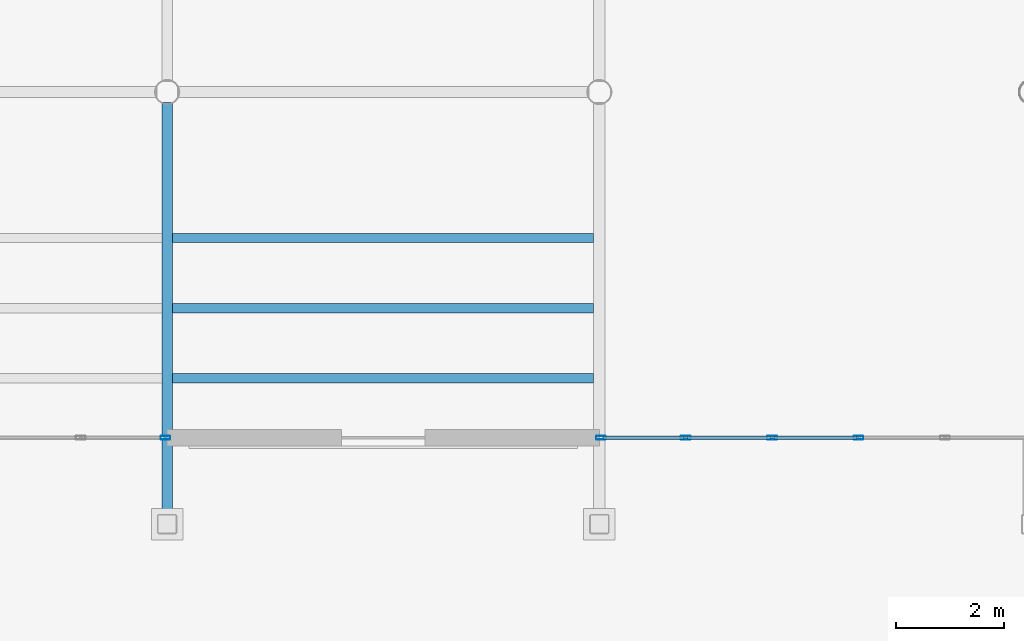
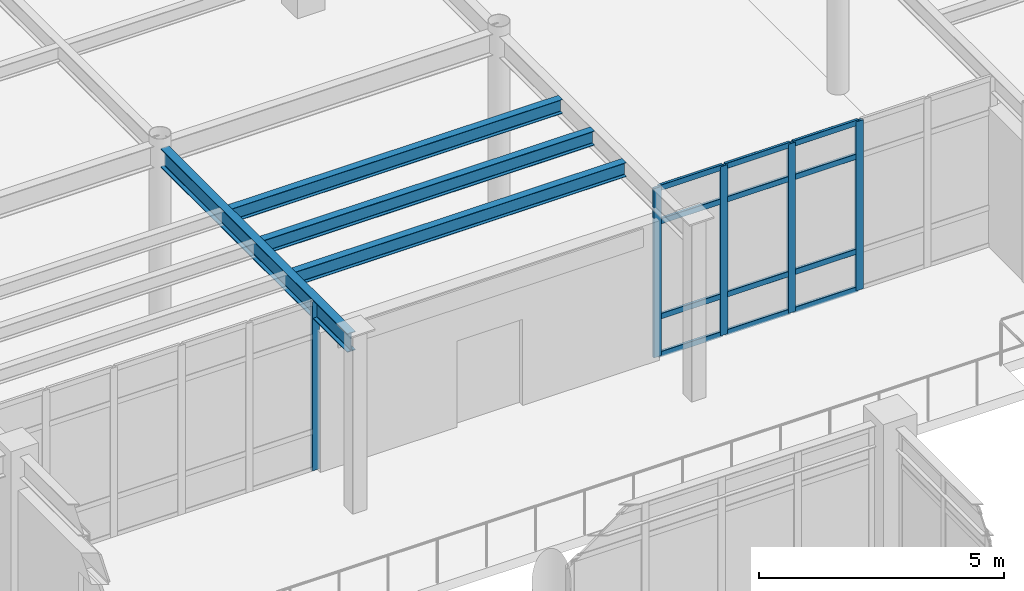
# One storey, part 55 of 111: 17 members, 4 beams, 2 elements without a shape of their own.
"""IFC4 building model written with IfcOpenShell, lengths in metres."""

from ifc_helpers import new_model, si_unit, direction, frame, origin, origin_2d, place, context, subcontext, project, spatial, hollow_rectangle, i_section, extrude, material, material_profile, profile_set, type_object, element, aggregate, save


model = new_model("IFC4")

# Units and contexts
model_context = context("Model", 3, precision=1e-05, world=origin(), true_north=direction((0.0, 1.0)))
body_context = subcontext(model_context, "Body", "Model", "MODEL_VIEW")
ifc_project = project(units=[si_unit("LENGTHUNIT", "METRE"), si_unit("AREAUNIT", "SQUARE_METRE"), si_unit("VOLUMEUNIT", "CUBIC_METRE"), si_unit("PLANEANGLEUNIT", "RADIAN"), si_unit("MASSUNIT", "GRAM", prefix="KILO")], contexts=[model_context])

# Site, building, storey
site_placement = place(None, origin())
site = spatial("IfcSite", under=ifc_project, at=site_placement, CompositionType="ELEMENT")
building_placement = place(site_placement, origin())
building = spatial("IfcBuilding", under=site, at=building_placement, Name="Solmirada Galleria", CompositionType="ELEMENT")
storey_placement = place(building_placement, frame((0.0, 0.0, 10.39990234375)))
storey = spatial("IfcBuildingStorey", under=building, at=storey_placement, Name="L02", CompositionType="ELEMENT", Elevation=10.39990234375)

# Beams
ifc_material_1 = material(Name="Steel S355 / ASTM A992 Grade 50", Category="steel")
ifc_material_profile_1 = material_profile(ifc_material_1, i_section(OverallWidth=0.194091796875, OverallDepth=0.468994140625, WebThickness=0.0126953125, FlangeThickness=0.0205078125, FilletRadius=0.013916015625, at=origin_2d()), Name="W18X71")
ifc_profile_set_1 = profile_set([ifc_material_profile_1], Name="Steel S355 / ASTM A992 Grade 50")
beam_type_1 = type_object("IfcBeamType", Name="BM-GIRD-W18B", PredefinedType="BEAM", material=ifc_profile_set_1)
beam_1_placement = place(storey_placement, frame((104.0, 80.177978515625, 4.025634765625), z_axis=(0.0, 1.0, 0.0), x_axis=(-1.0, 0.0, 0.0)))
element("IfcBeam", 1, at=beam_1_placement, inside=storey, type_object=beam_type_1, Name="Primary girder L03 Y(104, 80..88)", PredefinedType="BEAM", context=body_context, shape_type="SweptSolid", body=[
    extrude(i_section(OverallWidth=0.194091796875, OverallDepth=0.468994140625, WebThickness=0.0126953125, FlangeThickness=0.0205078125, FilletRadius=0.013916015625, at=origin_2d()), origin(), (0.0, 0.0, 1.0), 7.630126953125),
])
ifc_material_profile_2 = material_profile(ifc_material_1, i_section(OverallWidth=0.172119140625, OverallDepth=0.35791015625, WebThickness=0.0078125, FlangeThickness=0.01318359375, FilletRadius=0.011962890625, at=origin_2d()), Name="W14X38")
ifc_profile_set_2 = profile_set([ifc_material_profile_2], Name="Steel S355 / ASTM A992 Grade 50")
beam_type_2 = type_object("IfcBeamType", Name="BM-JST-W14A", PredefinedType="JOIST", material=ifc_profile_set_2)
beam_2_placement = place(storey_placement, frame((104.096923828125, 84.0, 4.0810546875), z_axis=(1.0, 0.0, 0.0), x_axis=(0.0, 1.0, 0.0)))
element("IfcBeam", 2, at=beam_2_placement, inside=storey, type_object=beam_type_2, Name="Composite floor joist L03 (104..112, 84.0)", PredefinedType="JOIST", context=body_context, shape_type="SweptSolid", body=[
    extrude(i_section(OverallWidth=0.172119140625, OverallDepth=0.35791015625, WebThickness=0.0078125, FlangeThickness=0.01318359375, FilletRadius=0.011962890625, at=origin_2d()), origin(), (0.0, 0.0, 1.0), 7.798095703125),
])
ifc_material_profile_3 = material_profile(ifc_material_1, i_section(OverallWidth=0.1708984375, OverallDepth=0.35205078125, WebThickness=0.0068359375, FlangeThickness=0.009765625, FilletRadius=0.010986328125, at=origin_2d()), Name="W14X30")
ifc_profile_set_3 = profile_set([ifc_material_profile_3], Name="Steel S355 / ASTM A992 Grade 50")
beam_type_3 = type_object("IfcBeamType", Name="BM-JST-W14B", PredefinedType="JOIST", material=ifc_profile_set_3)
for number, where, z_axis, x_axis, name in (
    (3, (104.096923828125, 82.699951171875, 4.083984375), (1.0, 0.0, 0.0), (0.0, 1.0, 0.0), "Terrace deck joist L03-TERR-NE X=104..112 (1)"),
    (4, (104.096923828125, 85.300048828125, 4.083984375), (1.0, 0.0, 0.0), (0.0, 1.0, 0.0), "Terrace deck joist L03-TERR-NE X=104..112 (2)"),
):
    element("IfcBeam", number, at=place(storey_placement, frame(where, z_axis=z_axis, x_axis=x_axis)), inside=storey, type_object=beam_type_3, Name=name, PredefinedType="JOIST", context=body_context, shape_type="SweptSolid", body=[
        extrude(i_section(OverallWidth=0.1708984375, OverallDepth=0.35205078125, WebThickness=0.0068359375, FlangeThickness=0.009765625, FilletRadius=0.010986328125, at=origin_2d()), origin(), (0.0, 0.0, 1.0), 7.798095703125),
    ])

# Curtain wall, members
ifc_material_2 = material(Name="Impact-resistant low-E double glazing", Category="glass")
curtain_wall_type = type_object("IfcCurtainWallType", Name="CW-FZ4-L02-B5-L080", PredefinedType="NOTDEFINED", material=ifc_material_2)
curtain_wall_1_placement = place(storey_placement, origin())
curtain_wall_1 = element("IfcCurtainWall", 5, at=curtain_wall_1_placement, inside=storey, type_object=curtain_wall_type, Name="Terrace and arcade storefront CW-L02-102", PredefinedType="NOTDEFINED")
ifc_material_3 = material(Name="Anodised aluminium framing", Category="aluminium")
ifc_material_profile_4 = material_profile(ifc_material_3, hollow_rectangle(XDim=0.06494140625, YDim=0.179931640625, WallThickness=0.00390625, InnerFilletRadius=0.00390625, OuterFilletRadius=0.008056640625, at=origin_2d()), Name="ALU-MULL-180X65")
ifc_profile_set_4 = profile_set([ifc_material_profile_4], Name="Anodised aluminium framing")
member_type_1 = type_object("IfcMemberType", Name="CW-MULL-180", PredefinedType="MULLION", material=ifc_profile_set_4)
member_1_placement = place(storey_placement, frame((116.800048828125, 81.60009765625, 0.0), z_axis=(0.0, 0.0, 1.0), x_axis=(0.0, -1.0, 0.0)))
member_1 = element("IfcMember", 6, at=member_1_placement, type_object=member_type_1, Name="CW22 mullion 3", PredefinedType="MULLION", context=body_context, shape_type="SweptSolid", body=[
    extrude(hollow_rectangle(XDim=0.06494140625, YDim=0.179931640625, WallThickness=0.00390625, InnerFilletRadius=0.00390625, OuterFilletRadius=0.008056640625, at=origin_2d()), origin(), (0.0, 0.0, 1.0), 4.22021484375),
])
member_2_placement = place(storey_placement, frame((115.199951171875, 81.60009765625, 0.0), z_axis=(0.0, 0.0, 1.0), x_axis=(0.0, -1.0, 0.0)))
member_2 = element("IfcMember", 7, at=member_2_placement, type_object=member_type_1, Name="CW22 mullion 4", PredefinedType="MULLION", context=body_context, shape_type="SweptSolid", body=[
    extrude(hollow_rectangle(XDim=0.06494140625, YDim=0.179931640625, WallThickness=0.00390625, InnerFilletRadius=0.00390625, OuterFilletRadius=0.008056640625, at=origin_2d()), origin(), (0.0, 0.0, 1.0), 4.22021484375),
])
member_3_placement = place(storey_placement, frame((113.60009765625, 81.60009765625, 0.0), z_axis=(0.0, 0.0, 1.0), x_axis=(0.0, -1.0, 0.0)))
member_3 = element("IfcMember", 8, at=member_3_placement, type_object=member_type_1, Name="CW22 mullion 5", PredefinedType="MULLION", context=body_context, shape_type="SweptSolid", body=[
    extrude(hollow_rectangle(XDim=0.06494140625, YDim=0.179931640625, WallThickness=0.00390625, InnerFilletRadius=0.00390625, OuterFilletRadius=0.008056640625, at=origin_2d()), origin(), (0.0, 0.0, 1.0), 4.22021484375),
])
member_4_placement = place(storey_placement, frame((112.032470703125, 81.60009765625, 0.0), z_axis=(0.0, 0.0, 1.0), x_axis=(0.0, -1.0, 0.0)))
member_4 = element("IfcMember", 9, at=member_4_placement, type_object=member_type_1, Name="CW22 mullion 6", PredefinedType="MULLION", context=body_context, shape_type="SweptSolid", body=[
    extrude(hollow_rectangle(XDim=0.06494140625, YDim=0.179931640625, WallThickness=0.00390625, InnerFilletRadius=0.00390625, OuterFilletRadius=0.008056640625, at=origin_2d()), origin(), (0.0, 0.0, 1.0), 4.22021484375),
])

# Curtain wall, member
curtain_wall_2_placement = place(storey_placement, origin())
curtain_wall_2 = element("IfcCurtainWall", 10, at=curtain_wall_2_placement, inside=storey, type_object=curtain_wall_type, Name="Terrace and arcade storefront CW-L02-103", PredefinedType="NOTDEFINED")
member_5_placement = place(storey_placement, frame((103.967529296875, 81.60009765625, 0.0), z_axis=(0.0, 0.0, 1.0), x_axis=(0.0, -1.0, 0.0)))
member_5 = element("IfcMember", 11, at=member_5_placement, type_object=member_type_1, Name="CW22 mullion 1", PredefinedType="MULLION", context=body_context, shape_type="SweptSolid", body=[
    extrude(hollow_rectangle(XDim=0.06494140625, YDim=0.179931640625, WallThickness=0.00390625, InnerFilletRadius=0.00390625, OuterFilletRadius=0.008056640625, at=origin_2d()), origin(), (0.0, 0.0, 1.0), 4.22021484375),
])
aggregate(curtain_wall_2, [member_5])

# Member
ifc_material_profile_5 = material_profile(ifc_material_3, hollow_rectangle(XDim=0.06494140625, YDim=0.139892578125, WallThickness=0.00341796875, InnerFilletRadius=0.00341796875, OuterFilletRadius=0.007080078125, at=origin_2d()), Name="ALU-TRAN-140X65")
ifc_profile_set_5 = profile_set([ifc_material_profile_5], Name="Anodised aluminium framing")
member_type_2 = type_object("IfcMemberType", Name="CW-TRAN-140", PredefinedType="USERDEFINED", material=ifc_profile_set_5)
member_6_placement = place(storey_placement, frame((116.767578125, 81.60009765625, 0.03271484375), z_axis=(-1.0, 0.0, 0.0), x_axis=(0.0, -1.0, 0.0)))
member_6 = element("IfcMember", 12, at=member_6_placement, type_object=member_type_2, Name="CW22 transom 3.1", ObjectType="TRANSOM", PredefinedType="USERDEFINED", context=body_context, shape_type="SweptSolid", body=[
    extrude(hollow_rectangle(XDim=0.06494140625, YDim=0.139892578125, WallThickness=0.00341796875, InnerFilletRadius=0.00341796875, OuterFilletRadius=0.007080078125, at=origin_2d()), origin(), (0.0, 0.0, 1.0), 1.53515625),
])

member_7_placement = place(storey_placement, frame((116.767578125, 81.60009765625, 0.97998046875), z_axis=(-1.0, 0.0, 0.0), x_axis=(0.0, -1.0, 0.0)))
member_7 = element("IfcMember", 13, at=member_7_placement, type_object=member_type_2, Name="CW22 transom 3.2", ObjectType="TRANSOM", PredefinedType="USERDEFINED", context=body_context, shape_type="SweptSolid", body=[
    extrude(hollow_rectangle(XDim=0.06494140625, YDim=0.139892578125, WallThickness=0.00341796875, InnerFilletRadius=0.00341796875, OuterFilletRadius=0.007080078125, at=origin_2d()), origin(), (0.0, 0.0, 1.0), 1.53515625),
])

member_8_placement = place(storey_placement, frame((116.767578125, 81.60009765625, 3.35009765625), z_axis=(-1.0, 0.0, 0.0), x_axis=(0.0, -1.0, 0.0)))
member_8 = element("IfcMember", 14, at=member_8_placement, type_object=member_type_2, Name="CW22 transom 3.3", ObjectType="TRANSOM", PredefinedType="USERDEFINED", context=body_context, shape_type="SweptSolid", body=[
    extrude(hollow_rectangle(XDim=0.06494140625, YDim=0.139892578125, WallThickness=0.00341796875, InnerFilletRadius=0.00341796875, OuterFilletRadius=0.007080078125, at=origin_2d()), origin(), (0.0, 0.0, 1.0), 1.53515625),
])

member_9_placement = place(storey_placement, frame((116.767578125, 81.60009765625, 4.1875), z_axis=(-1.0, 0.0, 0.0), x_axis=(0.0, -1.0, 0.0)))
member_9 = element("IfcMember", 15, at=member_9_placement, type_object=member_type_2, Name="CW22 transom 3.4", ObjectType="TRANSOM", PredefinedType="USERDEFINED", context=body_context, shape_type="SweptSolid", body=[
    extrude(hollow_rectangle(XDim=0.06494140625, YDim=0.139892578125, WallThickness=0.00341796875, InnerFilletRadius=0.00341796875, OuterFilletRadius=0.007080078125, at=origin_2d()), origin(), (0.0, 0.0, 1.0), 1.53515625),
])

member_10_placement = place(storey_placement, frame((115.16748046875, 81.60009765625, 0.03271484375), z_axis=(-1.0, 0.0, 0.0), x_axis=(0.0, -1.0, 0.0)))
member_10 = element("IfcMember", 16, at=member_10_placement, type_object=member_type_2, Name="CW22 transom 4.1", ObjectType="TRANSOM", PredefinedType="USERDEFINED", context=body_context, shape_type="SweptSolid", body=[
    extrude(hollow_rectangle(XDim=0.06494140625, YDim=0.139892578125, WallThickness=0.00341796875, InnerFilletRadius=0.00341796875, OuterFilletRadius=0.007080078125, at=origin_2d()), origin(), (0.0, 0.0, 1.0), 1.534912109375),
])

member_11_placement = place(storey_placement, frame((115.16748046875, 81.60009765625, 0.97998046875), z_axis=(-1.0, 0.0, 0.0), x_axis=(0.0, -1.0, 0.0)))
member_11 = element("IfcMember", 17, at=member_11_placement, type_object=member_type_2, Name="CW22 transom 4.2", ObjectType="TRANSOM", PredefinedType="USERDEFINED", context=body_context, shape_type="SweptSolid", body=[
    extrude(hollow_rectangle(XDim=0.06494140625, YDim=0.139892578125, WallThickness=0.00341796875, InnerFilletRadius=0.00341796875, OuterFilletRadius=0.007080078125, at=origin_2d()), origin(), (0.0, 0.0, 1.0), 1.534912109375),
])

member_12_placement = place(storey_placement, frame((115.16748046875, 81.60009765625, 3.35009765625), z_axis=(-1.0, 0.0, 0.0), x_axis=(0.0, -1.0, 0.0)))
member_12 = element("IfcMember", 18, at=member_12_placement, type_object=member_type_2, Name="CW22 transom 4.3", ObjectType="TRANSOM", PredefinedType="USERDEFINED", context=body_context, shape_type="SweptSolid", body=[
    extrude(hollow_rectangle(XDim=0.06494140625, YDim=0.139892578125, WallThickness=0.00341796875, InnerFilletRadius=0.00341796875, OuterFilletRadius=0.007080078125, at=origin_2d()), origin(), (0.0, 0.0, 1.0), 1.534912109375),
])

member_13_placement = place(storey_placement, frame((115.16748046875, 81.60009765625, 4.1875), z_axis=(-1.0, 0.0, 0.0), x_axis=(0.0, -1.0, 0.0)))
member_13 = element("IfcMember", 19, at=member_13_placement, type_object=member_type_2, Name="CW22 transom 4.4", ObjectType="TRANSOM", PredefinedType="USERDEFINED", context=body_context, shape_type="SweptSolid", body=[
    extrude(hollow_rectangle(XDim=0.06494140625, YDim=0.139892578125, WallThickness=0.00341796875, InnerFilletRadius=0.00341796875, OuterFilletRadius=0.007080078125, at=origin_2d()), origin(), (0.0, 0.0, 1.0), 1.534912109375),
])

member_14_placement = place(storey_placement, frame((113.5673828125, 81.60009765625, 0.03271484375), z_axis=(-1.0, 0.0, 0.0), x_axis=(0.0, -1.0, 0.0)))
member_14 = element("IfcMember", 20, at=member_14_placement, type_object=member_type_2, Name="CW22 transom 5.1", ObjectType="TRANSOM", PredefinedType="USERDEFINED", context=body_context, shape_type="SweptSolid", body=[
    extrude(hollow_rectangle(XDim=0.06494140625, YDim=0.139892578125, WallThickness=0.00341796875, InnerFilletRadius=0.00341796875, OuterFilletRadius=0.007080078125, at=origin_2d()), origin(), (0.0, 0.0, 1.0), 1.50244140625),
])

member_15_placement = place(storey_placement, frame((113.5673828125, 81.60009765625, 0.97998046875), z_axis=(-1.0, 0.0, 0.0), x_axis=(0.0, -1.0, 0.0)))
member_15 = element("IfcMember", 21, at=member_15_placement, type_object=member_type_2, Name="CW22 transom 5.2", ObjectType="TRANSOM", PredefinedType="USERDEFINED", context=body_context, shape_type="SweptSolid", body=[
    extrude(hollow_rectangle(XDim=0.06494140625, YDim=0.139892578125, WallThickness=0.00341796875, InnerFilletRadius=0.00341796875, OuterFilletRadius=0.007080078125, at=origin_2d()), origin(), (0.0, 0.0, 1.0), 1.50244140625),
])

member_16_placement = place(storey_placement, frame((113.5673828125, 81.60009765625, 3.35009765625), z_axis=(-1.0, 0.0, 0.0), x_axis=(0.0, -1.0, 0.0)))
member_16 = element("IfcMember", 22, at=member_16_placement, type_object=member_type_2, Name="CW22 transom 5.3", ObjectType="TRANSOM", PredefinedType="USERDEFINED", context=body_context, shape_type="SweptSolid", body=[
    extrude(hollow_rectangle(XDim=0.06494140625, YDim=0.139892578125, WallThickness=0.00341796875, InnerFilletRadius=0.00341796875, OuterFilletRadius=0.007080078125, at=origin_2d()), origin(), (0.0, 0.0, 1.0), 1.50244140625),
])

member_17_placement = place(storey_placement, frame((113.5673828125, 81.60009765625, 4.1875), z_axis=(-1.0, 0.0, 0.0), x_axis=(0.0, -1.0, 0.0)))
member_17 = element("IfcMember", 23, at=member_17_placement, type_object=member_type_2, Name="CW22 transom 5.4", ObjectType="TRANSOM", PredefinedType="USERDEFINED", context=body_context, shape_type="SweptSolid", body=[
    extrude(hollow_rectangle(XDim=0.06494140625, YDim=0.139892578125, WallThickness=0.00341796875, InnerFilletRadius=0.00341796875, OuterFilletRadius=0.007080078125, at=origin_2d()), origin(), (0.0, 0.0, 1.0), 1.50244140625),
])

aggregate(curtain_wall_1, [member_1, member_2, member_3, member_4, member_6, member_7, member_8, member_9, member_10, member_11, member_12, member_13, member_14, member_15, member_16, member_17])

save(model, "model.ifc")
